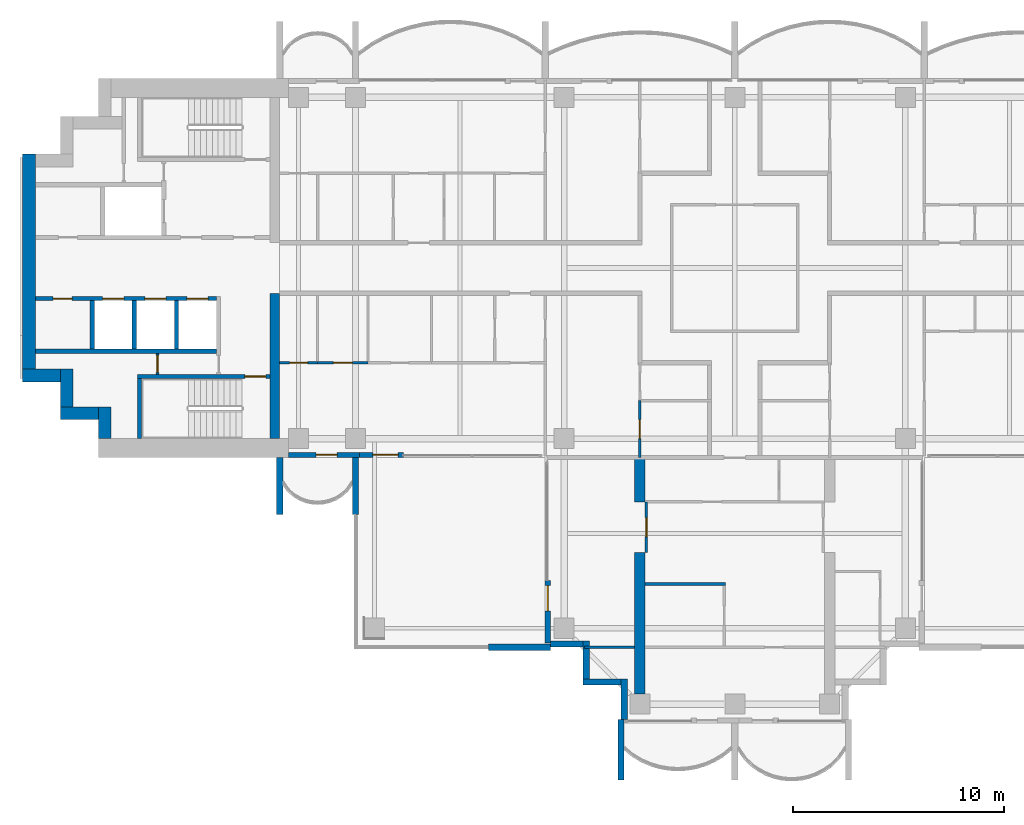
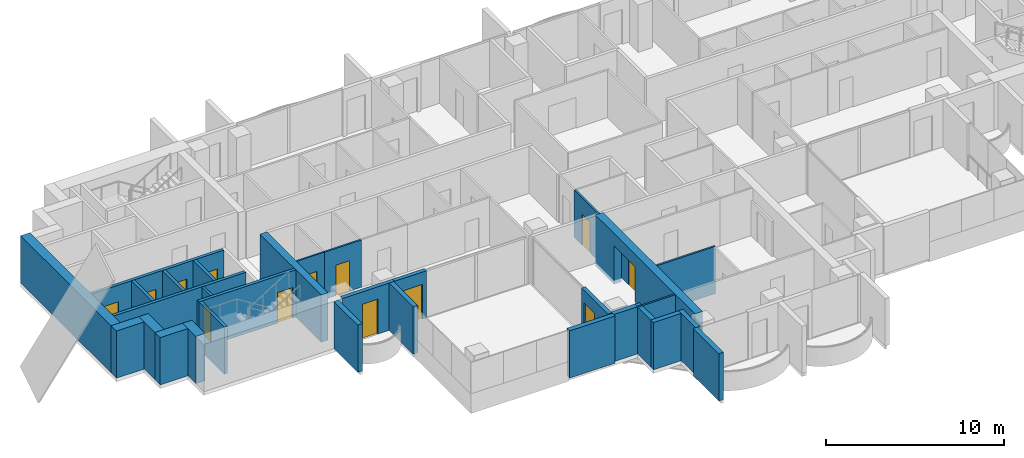
# One storey, part 8 of 17: 32 walls, 13 doors, 13 openings.
"""IFC4 building model written with IfcOpenShell, lengths in metres."""

from ifc_helpers import new_model, si_unit, direction, frame, frame_2d, origin, place, context, subcontext, project, spatial, polyline, rectangle, outline, extrude, material, layer, layer_set, material_profile, profile_set, type_object, element, fill, save


model = new_model("IFC4")

# Units and contexts
model_context = context("Model", 3, precision=1e-05, world=origin(), true_north=direction((0.0, 1.0)))
body_context = subcontext(model_context, "Body", "Model", "MODEL_VIEW")
ifc_project = project(units=[si_unit("LENGTHUNIT", "METRE"), si_unit("AREAUNIT", "SQUARE_METRE"), si_unit("VOLUMEUNIT", "CUBIC_METRE"), si_unit("PLANEANGLEUNIT", "RADIAN"), si_unit("MASSUNIT", "GRAM", prefix="KILO")], contexts=[model_context])

# Site, building, storey
site_placement = place(None, origin())
site = spatial("IfcSite", under=ifc_project, at=site_placement, CompositionType="ELEMENT")
building_placement = place(site_placement, origin())
building = spatial("IfcBuilding", under=site, at=building_placement, Name="Perihelion Cross Residences", CompositionType="ELEMENT")
storey_placement = place(building_placement, frame((0.0, 0.0, 191.10009765625)))
storey = spatial("IfcBuildingStorey", under=building, at=storey_placement, Name="L47", CompositionType="ELEMENT", Elevation=191.10009765625)

# Wall, opening, door
ifc_material_1 = material(Name="Concrete C30/37, bronze-clad", Category="concrete")
ifc_layer_1 = layer(ifc_material_1, 0.25)
ifc_layer_set_1 = layer_set([ifc_layer_1], Name="Bronze-clad pier wall 250")
wall_type_1 = type_object("IfcWallType", Name="Bronze-clad pier wall 250", PredefinedType="SOLIDWALL", material=ifc_layer_set_1)
wall_1_placement = place(storey_placement, frame((-21.175048828125, -8.875, 0.0), z_axis=(0.0, 0.0, 1.0), x_axis=(1.0, 0.0, 0.0)))
wall_1 = element("IfcWall", 1, at=wall_1_placement, inside=storey, type_object=wall_type_1, Name="Wall FW1 L47 west side south bay 1 pier", PredefinedType="SOLIDWALL", context=body_context, shape_type="SweptSolid", body=[
    extrude(rectangle(XDim=3.375, YDim=0.25, at=frame_2d((1.6875, 0.0))), origin(), (0.0, 0.0, 1.0), 3.25),
])
opening_1_placement = place(wall_1_placement, frame((1.300048828125, 0.0, 0.0)))
opening_1 = element("IfcOpeningElement", 2, at=opening_1_placement, cuts=wall_1, Name="Opening L47.E07", PredefinedType="OPENING", context=body_context, shape_type="SweptSolid", body=[
    extrude(rectangle(XDim=1.0, YDim=2.39990234375, at=frame_2d((0.5, 1.199951171875))), frame((0.0, 0.135009765625, 0.0), z_axis=(0.0, -1.0, 0.0), x_axis=(1.0, 0.0, 0.0)), (0.0, 0.0, 1.0), 0.27001953125),
])
ifc_material_2 = material(Name="Bronze anodised aluminium, glazed", Category="aluminium")
door_type_1 = type_object("IfcDoorType", Name="Balcony door 1000 x 2400", OperationType="NOTDEFINED", PredefinedType="DOOR", material=ifc_material_2)
door_1_placement = place(opening_1_placement, origin())
door_1 = element("IfcDoor", 3, at=door_1_placement, inside=storey, type_object=door_type_1, Name="Door L47.E07 west side south bay 1", OperationType="SINGLE_SWING_LEFT", OverallHeight=2.39990234375, OverallWidth=1.0, PredefinedType="DOOR", context=body_context, shape_type="SweptSolid", body=[
    extrude(rectangle(XDim=1.0, YDim=2.39990234375, at=frame_2d((0.5, 1.199951171875))), frame((0.0, 0.02490234375, 0.0), z_axis=(0.0, -1.0, 0.0), x_axis=(1.0, 0.0, 0.0)), (0.0, 0.0, 1.0), 0.050048828125),
])
fill(opening_1, door_1)

wall_2_placement = place(storey_placement, frame((-17.800048828125, -8.875, 0.0), z_axis=(0.0, 0.0, 1.0), x_axis=(1.0, 0.0, 0.0)))
wall_2 = element("IfcWall", 4, at=wall_2_placement, inside=storey, type_object=wall_type_1, Name="Wall FW1 L47 west side south bay 2 pier", PredefinedType="SOLIDWALL", context=body_context, shape_type="SweptSolid", body=[
    extrude(rectangle(XDim=2.074951171875, YDim=0.25, at=frame_2d((1.03759765625, 0.0))), origin(), (0.0, 0.0, 1.0), 3.25),
])
opening_2_placement = place(wall_2_placement, frame((0.625, 0.0, 0.0)))
opening_2 = element("IfcOpeningElement", 5, at=opening_2_placement, cuts=wall_2, Name="Opening L47.E08", PredefinedType="OPENING", context=body_context, shape_type="SweptSolid", body=[
    extrude(rectangle(XDim=1.199951171875, YDim=2.39990234375, at=frame_2d((0.60009765625, 1.199951171875))), frame((0.0, 0.135009765625, 0.0), z_axis=(0.0, -1.0, 0.0), x_axis=(1.0, 0.0, 0.0)), (0.0, 0.0, 1.0), 0.27001953125),
])
ifc_material_3 = material(Name="Bronze anodised aluminium, glazed", Category="aluminium")
door_type_2 = type_object("IfcDoorType", Name="Balcony door 1200 x 2400", OperationType="NOTDEFINED", PredefinedType="DOOR", material=ifc_material_3)
door_2_placement = place(opening_2_placement, origin())
door_2 = element("IfcDoor", 6, at=door_2_placement, inside=storey, type_object=door_type_2, Name="Door L47.E08 west side south bay 2", OperationType="SINGLE_SWING_RIGHT", OverallHeight=2.39990234375, OverallWidth=1.199951171875, PredefinedType="DOOR", context=body_context, shape_type="SweptSolid", body=[
    extrude(rectangle(XDim=1.199951171875, YDim=2.39990234375, at=frame_2d((0.60009765625, 1.199951171875))), frame((0.0, 0.02490234375, 0.0), z_axis=(0.0, -1.0, 0.0), x_axis=(1.0, 0.0, 0.0)), (0.0, 0.0, 1.0), 0.050048828125),
])
fill(opening_2, door_2)

wall_3_placement = place(storey_placement, frame((-8.875, -14.824951171875, 0.0), z_axis=(0.0, 0.0, 1.0), x_axis=(0.0, -1.0, 0.0)))
wall_3 = element("IfcWall", 7, at=wall_3_placement, inside=storey, type_object=wall_type_1, Name="Wall FW1 L47 south side west bay 1 pier", PredefinedType="SOLIDWALL", context=body_context, shape_type="SweptSolid", body=[
    extrude(rectangle(XDim=2.97509765625, YDim=0.25, at=frame_2d((1.487548828125, 0.0))), origin(), (0.0, 0.0, 1.0), 3.25),
])
opening_3_placement = place(wall_3_placement, frame((0.25, 0.0, 0.0)))
opening_3 = element("IfcOpeningElement", 8, at=opening_3_placement, cuts=wall_3, Name="Opening L47.E09", PredefinedType="OPENING", context=body_context, shape_type="SweptSolid", body=[
    extrude(rectangle(XDim=1.199951171875, YDim=2.39990234375, at=frame_2d((0.60009765625, 1.199951171875))), frame((0.0, 0.135009765625, 0.0), z_axis=(0.0, -1.0, 0.0), x_axis=(1.0, 0.0, 0.0)), (0.0, 0.0, 1.0), 0.27001953125),
])
door_3_placement = place(opening_3_placement, origin())
door_3 = element("IfcDoor", 9, at=door_3_placement, inside=storey, type_object=door_type_2, Name="Door L47.E09 south side west bay 1", OperationType="SINGLE_SWING_LEFT", OverallHeight=2.39990234375, OverallWidth=1.199951171875, PredefinedType="DOOR", context=body_context, shape_type="SweptSolid", body=[
    extrude(rectangle(XDim=1.199951171875, YDim=2.39990234375, at=frame_2d((0.60009765625, 1.199951171875))), frame((0.0, 0.02490234375, 0.0), z_axis=(0.0, -1.0, 0.0), x_axis=(1.0, 0.0, 0.0)), (0.0, 0.0, 1.0), 0.050048828125),
])
fill(opening_3, door_3)

# Walls
ifc_material_4 = material(Name="Concrete C30/37, bronze-clad", Category="concrete")
ifc_layer_2 = layer(ifc_material_4, 0.300048828125)
ifc_layer_set_2 = layer_set([ifc_layer_2], Name="Bronze-clad serration wall 300")
wall_type_2 = type_object("IfcWallType", Name="Bronze-clad serration wall 300", PredefinedType="SOLIDWALL", material=ifc_layer_set_2)
wall_4_placement = place(storey_placement, frame((-8.75, -17.85009765625, 0.0), z_axis=(0.0, 0.0, 1.0), x_axis=(1.0, 0.0, 0.0)))
element("IfcWall", 10, at=wall_4_placement, inside=storey, type_object=wall_type_2, Name="Wall SR1 L47 south corner south-west 1", PredefinedType="SOLIDWALL", context=body_context, shape_type="SweptSolid", body=[
    extrude(rectangle(XDim=1.550048828125, YDim=0.300048828125, at=frame_2d((0.77490234375, 0.0))), origin(), (0.0, 0.0, 1.0), 3.25),
])
for number, where, z_axis, x_axis, name in (
    (11, (-7.050048828125, -17.699951171875, 0.0), (0.0, 0.0, 1.0), (0.0, -1.0, 0.0), "Wall SR1 L47 south corner south-west 2"),
    (12, (-7.199951171875, -19.64990234375, 0.0), (0.0, 0.0, 1.0), (1.0, 0.0, 0.0), "Wall SR1 L47 south corner south-west 3"),
):
    element("IfcWall", number, at=place(storey_placement, frame(where, z_axis=z_axis, x_axis=x_axis)), inside=storey, type_object=wall_type_2, Name=name, PredefinedType="SOLIDWALL", context=body_context, shape_type="SweptSolid", body=[
        extrude(rectangle(XDim=1.800048828125, YDim=0.300048828125, at=frame_2d((0.89990234375, 0.0))), origin(), (0.0, 0.0, 1.0), 3.25),
    ])
wall_5_placement = place(storey_placement, frame((-5.25, -19.5, 0.0), z_axis=(0.0, 0.0, 1.0), x_axis=(0.0, -1.0, 0.0)))
element("IfcWall", 13, at=wall_5_placement, inside=storey, type_object=wall_type_2, Name="Wall SR1 L47 south corner south-west 4", PredefinedType="SOLIDWALL", context=body_context, shape_type="SweptSolid", body=[
    extrude(rectangle(XDim=1.919921875, YDim=0.300048828125, at=frame_2d((0.9599609375, 0.0))), origin(), (0.0, 0.0, 1.0), 3.25),
])
ifc_material_5 = material(Name="Concrete C60/75", Category="concrete")
ifc_layer_3 = layer(ifc_material_5, 0.449951171875)
ifc_layer_set_3 = layer_set([ifc_layer_3], Name="Core wall, inner 450")
wall_type_3 = type_object("IfcWallType", Name="Core wall, inner 450", PredefinedType="SHEAR", material=ifc_layer_set_3)
wall_6_placement = place(storey_placement, frame((-21.824951171875, -8.10009765625, 0.0), z_axis=(0.0, 0.0, 1.0), x_axis=(0.0, 1.0, 0.0)))
element("IfcWall", 14, at=wall_6_placement, inside=storey, type_object=wall_type_3, Name="West core core wall, inner", PredefinedType="SHEAR", context=body_context, shape_type="SweptSolid", body=[
    extrude(rectangle(XDim=6.900146484375, YDim=0.449951171875, at=frame_2d((3.4501953125, 0.0))), origin(), (0.0, 0.0, 1.0), 3.25),
])
ifc_material_6 = material(Name="Concrete C60/75", Category="concrete")
ifc_layer_4 = layer(ifc_material_6, 0.60009765625)
ifc_layer_set_4 = layer_set([ifc_layer_4], Name="Core wall, outer 600")
wall_type_4 = type_object("IfcWallType", Name="Core wall, outer 600", PredefinedType="SHEAR", material=ifc_layer_set_4)
wall_7_placement = place(storey_placement, frame((-29.89990234375, -8.10009765625, 0.0), z_axis=(0.0, 0.0, 1.0), x_axis=(0.0, 1.0, 0.0)))
element("IfcWall", 15, at=wall_7_placement, inside=storey, type_object=wall_type_4, Name="West core core wall, outer", PredefinedType="SHEAR", context=body_context, shape_type="SweptSolid", body=[
    extrude(rectangle(XDim=1.5, YDim=0.60009765625, at=frame_2d((0.75, 0.0))), origin(), (0.0, 0.0, 1.0), 3.25),
])
for number, where, z_axis, x_axis, name in (
    (16, (-32.0, -6.89990234375, 0.0), (0.0, 0.0, 1.0), (1.0, 0.0, 0.0), "West core core wall, outer"),
    (17, (-31.699951171875, -6.60009765625, 0.0), (0.0, 0.0, 1.0), (0.0, 1.0, 0.0), "West core core wall, outer"),
    (18, (-33.800048828125, -5.10009765625, 0.0), (0.0, 0.0, 1.0), (1.0, 0.0, 0.0), "West core core wall, outer"),
):
    element("IfcWall", number, at=place(storey_placement, frame(where, z_axis=z_axis, x_axis=x_axis)), inside=storey, type_object=wall_type_4, Name=name, PredefinedType="SHEAR", context=body_context, shape_type="SweptSolid", body=[
        extrude(rectangle(XDim=1.800048828125, YDim=0.60009765625, at=frame_2d((0.89990234375, 0.0))), origin(), (0.0, 0.0, 1.0), 3.25),
    ])
wall_8_placement = place(storey_placement, frame((-33.5, -4.800048828125, 0.0), z_axis=(0.0, 0.0, 1.0), x_axis=(0.0, 1.0, 0.0)))
element("IfcWall", 19, at=wall_8_placement, inside=storey, type_object=wall_type_4, Name="West core core wall, outer", PredefinedType="SHEAR", context=body_context, shape_type="SweptSolid", body=[
    extrude(rectangle(XDim=10.199951171875, YDim=0.60009765625, at=frame_2d((5.10009765625, 0.0))), origin(), (0.0, 0.0, 1.0), 3.25),
])

# Wall, opening, door
ifc_material_7 = material(Name="Plasterboard partition")
ifc_layer_5 = layer(ifc_material_7, 0.1201171875)
ifc_layer_set_5 = layer_set([ifc_layer_5], Name="Infill panel 120")
wall_type_5 = type_object("IfcWallType", Name="Infill panel 120", PredefinedType="PARTITIONING", material=ifc_layer_set_5)
wall_9_placement = place(storey_placement, frame((-4.18994140625, -11.10009765625, 0.0), z_axis=(0.0, 0.0, 1.0), x_axis=(0.0, -1.0, 0.0)))
wall_9 = element("IfcWall", 20, at=wall_9_placement, inside=storey, type_object=wall_type_5, Name="Partition L47 WI02", PredefinedType="PARTITIONING", context=body_context, shape_type="SweptSolid", body=[
    extrude(rectangle(XDim=2.39990234375, YDim=0.1201171875, at=frame_2d((1.199951171875, 0.0))), origin(), (0.0, 0.0, 1.0), 2.39990234375),
])
opening_4_placement = place(wall_9_placement, frame((0.75, 0.0, 0.0)))
opening_4 = element("IfcOpeningElement", 21, at=opening_4_placement, cuts=wall_9, Name="Opening L47.A43", PredefinedType="OPENING", context=body_context, shape_type="SweptSolid", body=[
    extrude(rectangle(XDim=0.89990234375, YDim=2.10009765625, at=frame_2d((0.449951171875, 1.050048828125))), frame((0.0, 0.070068359375, 0.0), z_axis=(0.0, -1.0, 0.0), x_axis=(1.0, 0.0, 0.0)), (0.0, 0.0, 1.0), 0.14013671875),
])
ifc_material_8 = material(Name="Timber door leaf", Category="wood")
door_type_3 = type_object("IfcDoorType", Name="Interior room door 900 x 2100", OperationType="SINGLE_SWING_LEFT", PredefinedType="DOOR", material=ifc_material_8)
door_4_placement = place(opening_4_placement, origin())
door_4 = element("IfcDoor", 22, at=door_4_placement, inside=storey, type_object=door_type_3, Name="Door L47.A43", OperationType="SINGLE_SWING_LEFT", OverallHeight=2.10009765625, OverallWidth=0.89990234375, PredefinedType="DOOR", context=body_context, shape_type="SweptSolid", body=[
    extrude(rectangle(XDim=0.89990234375, YDim=2.10009765625, at=frame_2d((0.449951171875, 1.050048828125))), frame((0.0, 0.02490234375, 0.0), z_axis=(0.0, -1.0, 0.0), x_axis=(1.0, 0.0, 0.0)), (0.0, 0.0, 1.0), 0.050048828125),
])
fill(opening_4, door_4)

ifc_material_9 = material(Name="Plasterboard partition")
ifc_layer_6 = layer(ifc_material_9, 0.1201171875)
ifc_layer_set_6 = layer_set([ifc_layer_6], Name="Partition wall 120")
wall_type_6 = type_object("IfcWallType", Name="Partition wall 120", PredefinedType="PARTITIONING", material=ifc_layer_set_6)
wall_10_placement = place(storey_placement, frame((-17.39990234375, -4.5, 0.0), z_axis=(0.0, 0.0, 1.0), x_axis=(-1.0, 0.0, 0.0)))
wall_10 = element("IfcWall", 23, at=wall_10_placement, inside=storey, type_object=wall_type_6, Name="Partition L47 W059", PredefinedType="PARTITIONING", context=body_context, shape_type="SweptSolid", body=[
    extrude(rectangle(XDim=2.400146484375, YDim=0.1201171875, at=frame_2d((1.2001953125, 0.0))), origin(), (0.0, 0.0, 1.0), 3.25),
])
opening_5_placement = place(wall_10_placement, frame((0.75, 0.0, 0.0)))
opening_5 = element("IfcOpeningElement", 24, at=opening_5_placement, cuts=wall_10, Name="Opening L47.A31", PredefinedType="OPENING", context=body_context, shape_type="SweptSolid", body=[
    extrude(rectangle(XDim=0.89990234375, YDim=2.10009765625, at=frame_2d((0.449951171875, 1.050048828125))), frame((0.0, 0.070068359375, 0.0), z_axis=(0.0, -1.0, 0.0), x_axis=(1.0, 0.0, 0.0)), (0.0, 0.0, 1.0), 0.14013671875),
])
door_5_placement = place(opening_5_placement, origin())
door_5 = element("IfcDoor", 25, at=door_5_placement, inside=storey, type_object=door_type_3, Name="Door L47.A31", OperationType="SINGLE_SWING_RIGHT", OverallHeight=2.10009765625, OverallWidth=0.89990234375, PredefinedType="DOOR", context=body_context, shape_type="SweptSolid", body=[
    extrude(rectangle(XDim=0.89990234375, YDim=2.10009765625, at=frame_2d((0.449951171875, 1.050048828125))), frame((0.0, 0.02490234375, 0.0), z_axis=(0.0, -1.0, 0.0), x_axis=(1.0, 0.0, 0.0)), (0.0, 0.0, 1.0), 0.050048828125),
])
fill(opening_5, door_5)

wall_11_placement = place(storey_placement, frame((-4.5, -6.300048828125, 0.0), z_axis=(0.0, 0.0, 1.0), x_axis=(0.0, -1.0, 0.0)))
wall_11 = element("IfcWall", 26, at=wall_11_placement, inside=storey, type_object=wall_type_6, Name="Partition L47 W062", PredefinedType="PARTITIONING", context=body_context, shape_type="SweptSolid", body=[
    extrude(rectangle(XDim=2.699951171875, YDim=0.1201171875, at=frame_2d((1.35009765625, 0.0))), origin(), (0.0, 0.0, 1.0), 3.25),
])
opening_6_placement = place(wall_11_placement, frame((0.89990234375, 0.0, 0.0)))
opening_6 = element("IfcOpeningElement", 27, at=opening_6_placement, cuts=wall_11, Name="Opening L47.A27", PredefinedType="OPENING", context=body_context, shape_type="SweptSolid", body=[
    extrude(rectangle(XDim=0.89990234375, YDim=2.10009765625, at=frame_2d((0.449951171875, 1.050048828125))), frame((0.0, 0.070068359375, 0.0), z_axis=(0.0, -1.0, 0.0), x_axis=(1.0, 0.0, 0.0)), (0.0, 0.0, 1.0), 0.14013671875),
])
door_6_placement = place(opening_6_placement, origin())
door_6 = element("IfcDoor", 28, at=door_6_placement, inside=storey, type_object=door_type_3, Name="Door L47.A27", OperationType="SINGLE_SWING_RIGHT", OverallHeight=2.10009765625, OverallWidth=0.89990234375, PredefinedType="DOOR", context=body_context, shape_type="SweptSolid", body=[
    extrude(rectangle(XDim=0.89990234375, YDim=2.10009765625, at=frame_2d((0.449951171875, 1.050048828125))), frame((0.0, 0.02490234375, 0.0), z_axis=(0.0, -1.0, 0.0), x_axis=(1.0, 0.0, 0.0)), (0.0, 0.0, 1.0), 0.050048828125),
])
fill(opening_6, door_6)

# Walls
wall_12_placement = place(storey_placement, frame((-0.43994140625, -15.0, 0.0), z_axis=(0.0, 0.0, 1.0), x_axis=(-1.0, 0.0, 0.0)))
element("IfcWall", 29, at=wall_12_placement, inside=storey, type_object=wall_type_6, Name="Partition L47 W068", PredefinedType="PARTITIONING", context=body_context, shape_type="SweptSolid", body=[
    extrude(rectangle(XDim=3.81005859375, YDim=0.1201171875, at=frame_2d((1.905029296875, 0.0))), origin(), (0.0, 0.0, 1.0), 3.25),
])
wall_13_placement = place(storey_placement, frame((-4.75, -18.0, 0.0), z_axis=(0.0, 0.0, 1.0), x_axis=(-1.0, 0.0, 0.0)))
element("IfcWall", 30, at=wall_13_placement, inside=storey, type_object=wall_type_6, Name="Partition L47 W073", PredefinedType="PARTITIONING", context=body_context, shape_type="SweptSolid", body=[
    extrude(rectangle(XDim=2.3701171875, YDim=0.1201171875, at=frame_2d((1.18505859375, 0.0))), origin(), (0.0, 0.0, 1.0), 3.25),
])
ifc_material_10 = material(Name="Precast concrete C50/60", Category="concrete")
ifc_layer_7 = layer(ifc_material_10, 0.300048828125)
ifc_layer_set_7 = layer_set([ifc_layer_7], Name="Precast concrete C50/60 blade wall 300")
wall_type_7 = type_object("IfcWallType", Name="Precast concrete C50/60 blade wall 300", PredefinedType="SOLIDWALL", material=ifc_layer_set_7)
for number, where, z_axis, x_axis, name in (
    (31, (-21.60009765625, -9.0, 0.0), (0.0, 0.0, 1.0), (0.0, -1.0, 0.0), "Wall BL1 L47 no. 3"),
    (32, (-18.0, -9.0, 0.0), (0.0, 0.0, 1.0), (0.0, -1.0, 0.0), "Wall BL1 L47 no. 1"),
):
    element("IfcWall", number, at=place(storey_placement, frame(where, z_axis=z_axis, x_axis=x_axis)), inside=storey, type_object=wall_type_7, Name=name, PredefinedType="SOLIDWALL", context=body_context, shape_type="SweptSolid", body=[
        extrude(rectangle(XDim=2.699951171875, YDim=0.300048828125, at=frame_2d((1.35009765625, 0.0))), origin(), (0.0, 0.0, 1.0), 3.25),
    ])
wall_14_placement = place(storey_placement, frame((-8.75, -18.0, 0.0), z_axis=(0.0, 0.0, 1.0), x_axis=(-1.0, 0.0, 0.0)))
element("IfcWall", 33, at=wall_14_placement, inside=storey, type_object=wall_type_7, Name="Wall BL1 L47 no. 6", PredefinedType="SOLIDWALL", context=body_context, shape_type="SweptSolid", body=[
    extrude(rectangle(XDim=2.949951171875, YDim=0.300048828125, at=frame_2d((1.47509765625, 0.0))), origin(), (0.0, 0.0, 1.0), 3.25),
])
wall_15_placement = place(storey_placement, frame((-5.39990234375, -21.419921875, 0.0), z_axis=(0.0, 0.0, 1.0), x_axis=(0.0, -1.0, 0.0)))
element("IfcWall", 34, at=wall_15_placement, inside=storey, type_object=wall_type_7, Name="Wall BL1 L47 no. 5", PredefinedType="SOLIDWALL", context=body_context, shape_type="SweptSolid", body=[
    extrude(rectangle(XDim=2.880126953125, YDim=0.300048828125, at=frame_2d((1.43994140625, 0.0))), origin(), (0.0, 0.0, 1.0), 3.25),
])

# Wall, opening, door
ifc_material_11 = material(Name="Fire-rated board on steel stud", Category="steel")
ifc_layer_8 = layer(ifc_material_11, 0.14990234375)
ifc_layer_set_8 = layer_set([ifc_layer_8], Name="Riser wall 150")
wall_type_8 = type_object("IfcWallType", Name="Riser wall 150", PredefinedType="PARTITIONING", material=ifc_layer_set_8)
wall_16_placement = place(storey_placement, frame((-27.39990234375, -5.050048828125, 0.0), z_axis=(0.0, 0.0, 1.0), x_axis=(0.0, 1.0, 0.0)))
wall_16 = element("IfcWall", 35, at=wall_16_placement, inside=storey, type_object=wall_type_8, Name="West core riser wall", PredefinedType="PARTITIONING", context=body_context, shape_type="SweptSolid", body=[
    extrude(rectangle(XDim=1.0, YDim=0.14990234375, at=frame_2d((0.5, 0.0))), origin(), (0.0, 0.0, 1.0), 3.25),
])
opening_7_placement = place(wall_16_placement, frame((0.10009765625, 0.0, 0.0)))
opening_7 = element("IfcOpeningElement", 36, at=opening_7_placement, cuts=wall_16, Name="Opening L47.C25", PredefinedType="OPENING", context=body_context, shape_type="SweptSolid", body=[
    extrude(rectangle(XDim=0.800048828125, YDim=2.10009765625, at=frame_2d((0.39990234375, 1.050048828125))), frame((0.0, 0.0849609375, 0.0), z_axis=(0.0, -1.0, 0.0), x_axis=(1.0, 0.0, 0.0)), (0.0, 0.0, 1.0), 0.169921875),
])
ifc_material_12 = material(Name="Steel, powder coated", Category="steel")
door_type_4 = type_object("IfcDoorType", Name="Riser door 800", OperationType="SINGLE_SWING_LEFT", PredefinedType="DOOR", material=ifc_material_12)
door_7_placement = place(opening_7_placement, origin())
door_7 = element("IfcDoor", 37, at=door_7_placement, inside=storey, type_object=door_type_4, Name="West core riser door", OperationType="SINGLE_SWING_LEFT", OverallHeight=2.10009765625, OverallWidth=0.800048828125, PredefinedType="DOOR", context=body_context, shape_type="SweptSolid", body=[
    extrude(rectangle(XDim=0.800048828125, YDim=2.10009765625, at=frame_2d((0.39990234375, 1.050048828125))), frame((0.0, 0.02490234375, 0.0), z_axis=(0.0, -1.0, 0.0), x_axis=(1.0, 0.0, 0.0)), (0.0, 0.0, 1.0), 0.050048828125),
])
fill(opening_7, door_7)

# Wall, openings, doors
ifc_material_13 = material(Name="Concrete C50/60", Category="concrete")
ifc_layer_9 = layer(ifc_material_13, 0.199951171875)
ifc_layer_set_9 = layer_set([ifc_layer_9], Name="Shaft wall 200")
wall_type_9 = type_object("IfcWallType", Name="Shaft wall 200", PredefinedType="SOLIDWALL", material=ifc_layer_set_9)
wall_17_placement = place(storey_placement, frame((-33.199951171875, -1.449951171875, 0.0), z_axis=(0.0, 0.0, 1.0), x_axis=(1.0, 0.0, 0.0)))
wall_17 = element("IfcWall", 38, at=wall_17_placement, inside=storey, type_object=wall_type_9, Name="West core shaft wall", PredefinedType="SOLIDWALL", context=body_context, shape_type="SweptSolid", body=[
    extrude(rectangle(XDim=8.599853515625, YDim=0.199951171875, at=frame_2d((4.2998046875, 0.0))), origin(), (0.0, 0.0, 1.0), 3.25),
])
opening_8_placement = place(wall_17_placement, frame((7.199951171875, 0.0, 0.0)))
opening_8 = element("IfcOpeningElement", 39, at=opening_8_placement, cuts=wall_17, Name="Opening L47.C15", PredefinedType="OPENING", context=body_context, shape_type="SweptSolid", body=[
    extrude(rectangle(XDim=1.0, YDim=2.10009765625, at=frame_2d((0.5, 1.050048828125))), frame((0.0, 0.10986328125, 0.0), z_axis=(0.0, -1.0, 0.0), x_axis=(1.0, 0.0, 0.0)), (0.0, 0.0, 1.0), 0.219970703125),
])
opening_9_placement = place(wall_17_placement, frame((5.199951171875, 0.0, 0.0)))
opening_9 = element("IfcOpeningElement", 40, at=opening_9_placement, cuts=wall_17, Name="Opening L47.C17", PredefinedType="OPENING", context=body_context, shape_type="SweptSolid", body=[
    extrude(rectangle(XDim=1.0, YDim=2.10009765625, at=frame_2d((0.5, 1.050048828125))), frame((0.0, 0.10986328125, 0.0), z_axis=(0.0, -1.0, 0.0), x_axis=(1.0, 0.0, 0.0)), (0.0, 0.0, 1.0), 0.219970703125),
])
opening_10_placement = place(wall_17_placement, frame((3.199951171875, 0.0, 0.0)))
opening_10 = element("IfcOpeningElement", 41, at=opening_10_placement, cuts=wall_17, Name="Opening L47.C18", PredefinedType="OPENING", context=body_context, shape_type="SweptSolid", body=[
    extrude(rectangle(XDim=1.0, YDim=2.10009765625, at=frame_2d((0.5, 1.050048828125))), frame((0.0, 0.10986328125, 0.0), z_axis=(0.0, -1.0, 0.0), x_axis=(1.0, 0.0, 0.0)), (0.0, 0.0, 1.0), 0.219970703125),
])
opening_11_placement = place(wall_17_placement, frame((0.85009765625, 0.0, 0.0)))
opening_11 = element("IfcOpeningElement", 42, at=opening_11_placement, cuts=wall_17, Name="Opening L47.C28", PredefinedType="OPENING", context=body_context, shape_type="SweptSolid", body=[
    extrude(rectangle(XDim=0.89990234375, YDim=2.10009765625, at=frame_2d((0.449951171875, 1.050048828125))), frame((0.0, 0.10986328125, 0.0), z_axis=(0.0, -1.0, 0.0), x_axis=(1.0, 0.0, 0.0)), (0.0, 0.0, 1.0), 0.219970703125),
])
ifc_material_14 = material(Name="Stainless steel", Category="steel")
door_type_5 = type_object("IfcDoorType", Name="Landing door 1000", OperationType="DOUBLE_DOOR_SLIDING", PredefinedType="DOOR", material=ifc_material_14)
door_8_placement = place(opening_8_placement, origin())
door_8 = element("IfcDoor", 43, at=door_8_placement, inside=storey, type_object=door_type_5, Name="Landing door, West core high-rise lift 1", OperationType="DOUBLE_DOOR_SLIDING", OverallHeight=2.10009765625, OverallWidth=1.0, PredefinedType="DOOR", context=body_context, shape_type="SweptSolid", body=[
    extrude(rectangle(XDim=1.0, YDim=2.10009765625, at=frame_2d((0.5, 1.050048828125))), frame((0.0, 0.02490234375, 0.0), z_axis=(0.0, -1.0, 0.0), x_axis=(1.0, 0.0, 0.0)), (0.0, 0.0, 1.0), 0.050048828125),
])
fill(opening_8, door_8)
door_9_placement = place(opening_9_placement, origin())
door_9 = element("IfcDoor", 44, at=door_9_placement, inside=storey, type_object=door_type_5, Name="Landing door, West core high-rise lift 2", OperationType="DOUBLE_DOOR_SLIDING", OverallHeight=2.10009765625, OverallWidth=1.0, PredefinedType="DOOR", context=body_context, shape_type="SweptSolid", body=[
    extrude(rectangle(XDim=1.0, YDim=2.10009765625, at=frame_2d((0.5, 1.050048828125))), frame((0.0, 0.02490234375, 0.0), z_axis=(0.0, -1.0, 0.0), x_axis=(1.0, 0.0, 0.0)), (0.0, 0.0, 1.0), 0.050048828125),
])
fill(opening_9, door_9)
door_10_placement = place(opening_10_placement, origin())
door_10 = element("IfcDoor", 45, at=door_10_placement, inside=storey, type_object=door_type_5, Name="Landing door, West core high-rise lift 3", OperationType="DOUBLE_DOOR_SLIDING", OverallHeight=2.10009765625, OverallWidth=1.0, PredefinedType="DOOR", context=body_context, shape_type="SweptSolid", body=[
    extrude(rectangle(XDim=1.0, YDim=2.10009765625, at=frame_2d((0.5, 1.050048828125))), frame((0.0, 0.02490234375, 0.0), z_axis=(0.0, -1.0, 0.0), x_axis=(1.0, 0.0, 0.0)), (0.0, 0.0, 1.0), 0.050048828125),
])
fill(opening_10, door_10)
ifc_material_15 = material(Name="Steel, powder coated", Category="steel")
door_type_6 = type_object("IfcDoorType", Name="Service room door 900", OperationType="SINGLE_SWING_LEFT", PredefinedType="DOOR", material=ifc_material_15)
door_11_placement = place(opening_11_placement, origin())
door_11 = element("IfcDoor", 46, at=door_11_placement, inside=storey, type_object=door_type_6, Name="West core service room door", OperationType="SINGLE_SWING_LEFT", OverallHeight=2.10009765625, OverallWidth=0.89990234375, PredefinedType="DOOR", context=body_context, shape_type="SweptSolid", body=[
    extrude(rectangle(XDim=0.89990234375, YDim=2.10009765625, at=frame_2d((0.449951171875, 1.050048828125))), frame((0.0, 0.02490234375, 0.0), z_axis=(0.0, -1.0, 0.0), x_axis=(1.0, 0.0, 0.0)), (0.0, 0.0, 1.0), 0.050048828125),
])
fill(opening_11, door_11)

# Walls
wall_18_placement = place(storey_placement, frame((-33.199951171875, -3.949951171875, 0.0), z_axis=(0.0, 0.0, 1.0), x_axis=(1.0, 0.0, 0.0)))
element("IfcWall", 47, at=wall_18_placement, inside=storey, type_object=wall_type_9, Name="West core shaft wall", PredefinedType="SOLIDWALL", context=body_context, shape_type="SweptSolid", body=[
    extrude(rectangle(XDim=8.599853515625, YDim=0.199951171875, at=frame_2d((4.2998046875, 0.0))), origin(), (0.0, 0.0, 1.0), 3.25),
])
for number, where, z_axis, x_axis, name in (
    (48, (-26.5, -3.85009765625, 0.0), (0.0, 0.0, 1.0), (0.0, 1.0, 0.0), "West core shaft wall"),
    (49, (-28.5, -3.85009765625, 0.0), (0.0, 0.0, 1.0), (0.0, 1.0, 0.0), "West core shaft wall"),
    (50, (-30.5, -3.85009765625, 0.0), (0.0, 0.0, 1.0), (0.0, 1.0, 0.0), "West core shaft wall"),
):
    element("IfcWall", number, at=place(storey_placement, frame(where, z_axis=z_axis, x_axis=x_axis)), inside=storey, type_object=wall_type_9, Name=name, PredefinedType="SOLIDWALL", context=body_context, shape_type="SweptSolid", body=[
        extrude(rectangle(XDim=2.300048828125, YDim=0.199951171875, at=frame_2d((1.14990234375, 0.0))), origin(), (0.0, 0.0, 1.0), 3.25),
    ])

# Wall, opening, door
ifc_material_16 = material(Name="Concrete C50/60", Category="concrete")
ifc_layer_10 = layer(ifc_material_16, 0.199951171875)
ifc_layer_set_10 = layer_set([ifc_layer_10], Name="Stair wall 200")
wall_type_10 = type_object("IfcWallType", Name="Stair wall 200", PredefinedType="SOLIDWALL", material=ifc_layer_set_10)
wall_19_placement = place(storey_placement, frame((-28.35009765625, -5.14990234375, 0.0), z_axis=(0.0, 0.0, 1.0), x_axis=(1.0, 0.0, 0.0)))
wall_19 = element("IfcWall", 51, at=wall_19_placement, inside=storey, type_object=wall_type_10, Name="West core stair wall", PredefinedType="SOLIDWALL", context=body_context, shape_type="SweptSolid", body=[
    extrude(rectangle(XDim=6.300048828125, YDim=0.199951171875, at=frame_2d((3.14990234375, 0.0))), origin(), (0.0, 0.0, 1.0), 3.25),
])
opening_12_placement = place(wall_19_placement, frame((5.10009765625, 0.0, 0.0)))
opening_12 = element("IfcOpeningElement", 52, at=opening_12_placement, cuts=wall_19, Name="Opening L47.C19", PredefinedType="OPENING", context=body_context, shape_type="SweptSolid", body=[
    extrude(rectangle(XDim=1.0, YDim=2.10009765625, at=frame_2d((0.5, 1.050048828125))), frame((0.0, 0.10986328125, 0.0), z_axis=(0.0, -1.0, 0.0), x_axis=(1.0, 0.0, 0.0)), (0.0, 0.0, 1.0), 0.219970703125),
])
ifc_material_17 = material(Name="Steel, powder coated", Category="steel")
door_type_7 = type_object("IfcDoorType", Name="Stair door 1000", OperationType="SINGLE_SWING_LEFT", PredefinedType="DOOR", material=ifc_material_17)
door_12_placement = place(opening_12_placement, origin())
door_12 = element("IfcDoor", 53, at=door_12_placement, inside=storey, type_object=door_type_7, Name="West core stair door", OperationType="SINGLE_SWING_LEFT", OverallHeight=2.10009765625, OverallWidth=1.0, PredefinedType="DOOR", context=body_context, shape_type="SweptSolid", body=[
    extrude(rectangle(XDim=1.0, YDim=2.10009765625, at=frame_2d((0.5, 1.050048828125))), frame((0.0, 0.02490234375, 0.0), z_axis=(0.0, -1.0, 0.0), x_axis=(1.0, 0.0, 0.0)), (0.0, 0.0, 1.0), 0.050048828125),
])
fill(opening_12, door_12)

# Walls
wall_20_placement = place(storey_placement, frame((-28.25, -8.10009765625, 0.0), z_axis=(0.0, 0.0, 1.0), x_axis=(0.0, 1.0, 0.0)))
element("IfcWall", 54, at=wall_20_placement, inside=storey, type_object=wall_type_10, Name="West core stair wall", PredefinedType="SOLIDWALL", context=body_context, shape_type="SweptSolid", body=[
    extrude(rectangle(XDim=2.85009765625, YDim=0.199951171875, at=frame_2d((1.425048828125, 0.0))), origin(), (0.0, 0.0, 1.0), 3.25),
])
ifc_material_18 = material(Name="Concrete C60/75", Category="concrete")
ifc_material_profile = material_profile(ifc_material_18, outline(polyline([(0.0, 0.0), (6.72509765625, 0.0), (6.72509765625, 2.64990234375), (9.125, 2.64990234375), (9.125, 0.0), (11.22509765625, 0.0), (11.22509765625, 3.5), (0.0, 3.5), (0.0, 0.0)])), Name="Tip spine wall")
ifc_profile_set = profile_set([ifc_material_profile], Name="Concrete C60/75")
wall_type_11 = type_object("IfcWallType", Name="Tip spine wall 500 with 1 door openings 11225 long 3500 high concrete C60/75", PredefinedType="SHEAR", material=ifc_profile_set)
wall_21_placement = place(storey_placement, frame((-4.75, -20.22509765625, -0.25), z_axis=(1.0, 0.0, 0.0), x_axis=(0.0, 1.0, 0.0)))
element("IfcWall", 55, at=wall_21_placement, inside=storey, type_object=wall_type_11, Name="Shear wall SW41 L47 south west", PredefinedType="SHEAR", context=body_context, shape_type="SweptSolid", body=[
    extrude(outline(polyline([(0.0, 0.0), (6.72509765625, 0.0), (6.72509765625, 2.64990234375), (9.125, 2.64990234375), (9.125, 0.0), (11.22509765625, 0.0), (11.22509765625, 3.5), (0.0, 3.5), (0.0, 0.0)])), origin(), (0.0, 0.0, 1.0), 0.5),
])

# Wall, opening, door
ifc_material_19 = material(Name="Plasterboard partition")
ifc_layer_11 = layer(ifc_material_19, 0.10009765625)
ifc_layer_set_11 = layer_set([ifc_layer_11], Name="Wet room wall 100")
wall_type_12 = type_object("IfcWallType", Name="Wet room wall 100", PredefinedType="PARTITIONING", material=ifc_layer_set_11)
wall_22_placement = place(storey_placement, frame((-19.800048828125, -4.5, 0.0), z_axis=(0.0, 0.0, 1.0), x_axis=(-1.0, 0.0, 0.0)))
wall_22 = element("IfcWall", 56, at=wall_22_placement, inside=storey, type_object=wall_type_12, Name="Partition L47 W060", PredefinedType="PARTITIONING", context=body_context, shape_type="SweptSolid", body=[
    extrude(rectangle(XDim=1.800048828125, YDim=0.10009765625, at=frame_2d((0.89990234375, 0.0))), origin(), (0.0, 0.0, 1.0), 3.25),
])
opening_13_placement = place(wall_22_placement, frame((0.47509765625, 0.0, 0.0)))
opening_13 = element("IfcOpeningElement", 57, at=opening_13_placement, cuts=wall_22, Name="Opening L47.A29", PredefinedType="OPENING", context=body_context, shape_type="SweptSolid", body=[
    extrude(rectangle(XDim=0.85009765625, YDim=2.10009765625, at=frame_2d((0.425048828125, 1.050048828125))), frame((0.0, 0.06005859375, 0.0), z_axis=(0.0, -1.0, 0.0), x_axis=(1.0, 0.0, 0.0)), (0.0, 0.0, 1.0), 0.1201171875),
])
ifc_material_20 = material(Name="Timber door leaf", Category="wood")
door_type_8 = type_object("IfcDoorType", Name="Interior bathroom door 850 x 2100", OperationType="SINGLE_SWING_LEFT", PredefinedType="DOOR", material=ifc_material_20)
door_13_placement = place(opening_13_placement, origin())
door_13 = element("IfcDoor", 58, at=door_13_placement, inside=storey, type_object=door_type_8, Name="Door L47.A29", OperationType="SINGLE_SWING_LEFT", OverallHeight=2.10009765625, OverallWidth=0.85009765625, PredefinedType="DOOR", context=body_context, shape_type="SweptSolid", body=[
    extrude(rectangle(XDim=0.85009765625, YDim=2.10009765625, at=frame_2d((0.425048828125, 1.050048828125))), frame((0.0, 0.02490234375, 0.0), z_axis=(0.0, -1.0, 0.0), x_axis=(1.0, 0.0, 0.0)), (0.0, 0.0, 1.0), 0.050048828125),
])
fill(opening_13, door_13)

save(model, "model.ifc")
